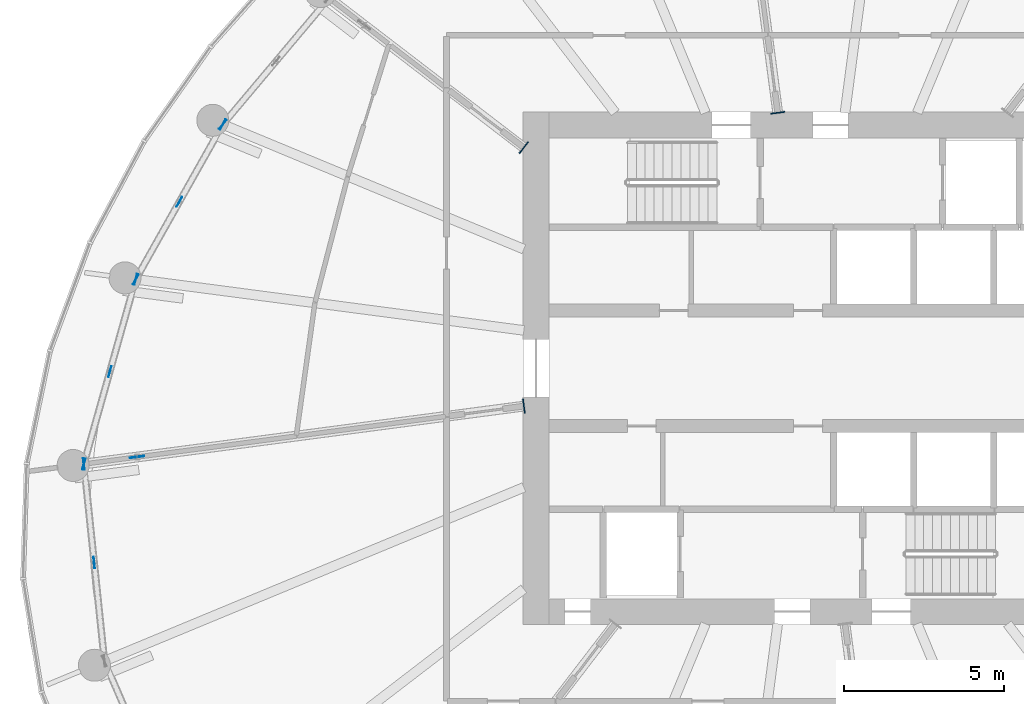
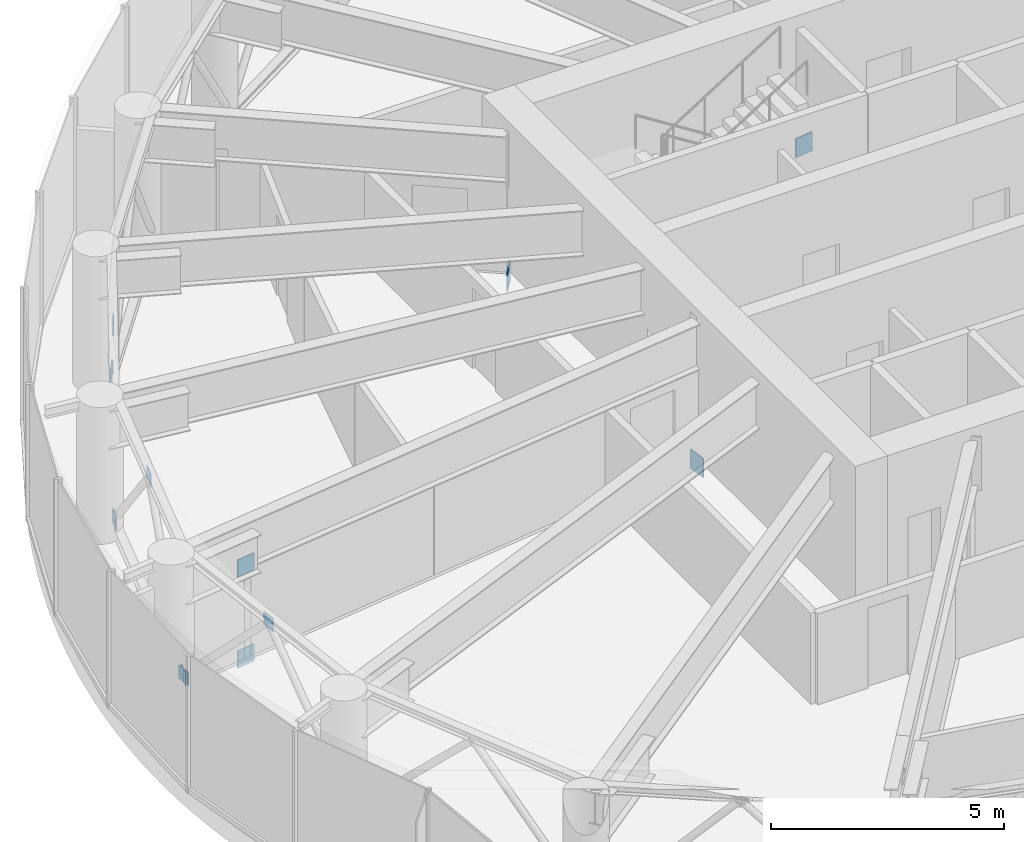
# One storey, part 19 of 25: 14 discrete accessories.
"""IFC4 building model written with IfcOpenShell, lengths in metres."""

from ifc_helpers import new_model, si_unit, direction, frame, origin, origin_2d, place, context, subcontext, project, spatial, rectangle, extrude, source, transform, mapped, material, layer, layer_set, type_object, element, save


model = new_model("IFC4")

# Units and contexts
model_context = context("Model", 3, precision=1e-05, world=origin(), true_north=direction((0.0, 1.0)))
body_context = subcontext(model_context, "Body", "Model", "MODEL_VIEW")
ifc_project = project(units=[si_unit("LENGTHUNIT", "METRE"), si_unit("AREAUNIT", "SQUARE_METRE"), si_unit("VOLUMEUNIT", "CUBIC_METRE"), si_unit("PLANEANGLEUNIT", "RADIAN"), si_unit("MASSUNIT", "GRAM", prefix="KILO")], contexts=[model_context])

# Site, building, storey
site_placement = place(None, origin())
site = spatial("IfcSite", under=ifc_project, at=site_placement, CompositionType="ELEMENT")
building_placement = place(site_placement, origin())
building = spatial("IfcBuilding", under=site, at=building_placement, Name="Spindrift Exchange Tower", CompositionType="ELEMENT")
storey_placement = place(building_placement, frame((0.0, 0.0, 179.89990234375)))
storey = spatial("IfcBuildingStorey", under=building, at=storey_placement, Name="L43", CompositionType="ELEMENT", Elevation=179.89990234375)

# Discrete accessories
ifc_material = material(Name="Steel Grade 350", Category="steel")
ifc_layer_1 = layer(ifc_material, 0.031982421875)
ifc_layer_set_1 = layer_set([ifc_layer_1], Name="Cast-in plate 450x500x32 Steel Grade 350")
discrete_accessory_type_1 = type_object("IfcDiscreteAccessoryType", Name="Cast-in plate 450x500x32 Steel Grade 350", PredefinedType="USERDEFINED", material=ifc_layer_set_1)
shared_shape_1 = source(origin(), body_context, "Body", "SweptSolid", [
    extrude(rectangle(XDim=0.031982421875, YDim=0.449951171875, at=origin_2d()), origin(), (0.0, 0.0, 1.0), 0.5),
])
for number, where, z_axis, x_axis, name in (
    (1, (50.949462890625, 55.980224609375, -0.406982421875), (0.0, 0.0, 1.0), (-0.13052619222, 0.991444861374, 0.0), "L43 cast-in plate CP2 07"),
    (2, (43.015869140625, 54.893798828125, -0.406982421875), (0.0, 0.0, 1.0), (-0.793353340291, 0.608761429009, 0.0), "L43 cast-in plate CP2 10"),
    (3, (43.019775390625, 46.817626953125, -0.406982421875), (0.0, 0.0, 1.0), (-0.991444861374, -0.13052619222, 0.0), "L43 cast-in plate CP2 13"),
):
    element("IfcDiscreteAccessory", number, at=place(storey_placement, frame(where, z_axis=z_axis, x_axis=x_axis)), inside=storey, type_object=discrete_accessory_type_1, Name=name, ObjectType="Cast-in plate", PredefinedType="USERDEFINED", context=body_context, shape_type="MappedRepresentation", body=[
        mapped(shared_shape_1, transform((0.0, 0.0, 0.0), scale=1.0)),
    ])
ifc_layer_2 = layer(ifc_material, 0.02490234375)
ifc_layer_set_2 = layer_set([ifc_layer_2], Name="Gusset plate 450x450x25 Steel Grade 350")
discrete_accessory_type_2 = type_object("IfcDiscreteAccessoryType", Name="Gusset plate 450x450x25 Steel Grade 350", PredefinedType="USERDEFINED", material=ifc_layer_set_2)
shared_shape_2 = source(origin(), body_context, "Body", "SweptSolid", [
    extrude(rectangle(XDim=0.449951171875, YDim=0.02490234375, at=origin_2d()), origin(), (0.0, 0.0, 1.0), 0.449951171875),
])
for number, where, z_axis, x_axis, name in (
    (4, (30.937744140625, 45.22705078125, -0.22509765625), (0.0, 0.0, 1.0), (-0.991444861374, -0.13052619222, 0.0), "L43 gusset plate GP1 13"),
    (5, (30.937744140625, 45.22705078125, 2.1552734375), (0.0, 0.0, 1.0), (-0.991444861374, -0.13052619222, 0.0), "L43 gusset plate GP1 13"),
):
    element("IfcDiscreteAccessory", number, at=place(storey_placement, frame(where, z_axis=z_axis, x_axis=x_axis)), inside=storey, type_object=discrete_accessory_type_2, Name=name, ObjectType="Gusset plate", PredefinedType="USERDEFINED", context=body_context, shape_type="MappedRepresentation", body=[
        mapped(shared_shape_2, transform((0.0, 0.0, 0.0), scale=1.0)),
    ])
ifc_layer_3 = layer(ifc_material, 0.02001953125)
ifc_layer_set_3 = layer_set([ifc_layer_3], Name="Gusset plate 350x350x20 Steel Grade 350")
discrete_accessory_type_3 = type_object("IfcDiscreteAccessoryType", Name="Gusset plate 350x350x20 Steel Grade 350", PredefinedType="USERDEFINED", material=ifc_layer_set_3)
shared_shape_3 = source(origin(), body_context, "Body", "SweptSolid", [
    extrude(rectangle(XDim=0.35009765625, YDim=0.02001953125, at=origin_2d()), origin(), (0.0, 0.0, 1.0), 0.35009765625),
])
for number, where, z_axis, x_axis, name in (
    (6, (33.61474609375, 55.615478515625, 0.03515625), (0.0, 0.0, 1.0), (-0.643680288471, -0.765294509476, 0.0), "L43 gusset plate GP2 10"),
    (7, (33.61474609375, 55.615478515625, 0.03515625), (0.0, 0.0, 1.0), (-0.489957679354, -0.871746220205, 0.0), "L43 gusset plate GP2 11"),
    (8, (32.255615234375, 53.197021484375, 3.195068359375), (0.0, 0.0, 1.0), (-0.489957679354, -0.871746220205, 0.0), "L43 gusset plate GP2 11"),
    (9, (30.89599609375, 50.7783203125, 0.03515625), (0.0, 0.0, 1.0), (-0.489985065827, -0.871730827301, 0.0), "L43 gusset plate GP2 11"),
    (10, (30.89599609375, 50.7783203125, 0.03515625), (0.0, 0.0, 1.0), (-0.270455944519, -0.962732352253, 0.0), "L43 gusset plate GP2 12"),
    (11, (30.085693359375, 47.893310546875, 3.195068359375), (0.0, 0.0, 1.0), (-0.270455944519, -0.962732352253, 0.0), "L43 gusset plate GP2 12"),
    (12, (29.275146484375, 45.00830078125, 0.03515625), (0.0, 0.0, 1.0), (-0.270455944519, -0.962732352253, 0.0), "L43 gusset plate GP2 12"),
    (13, (29.275146484375, 45.00830078125, 0.03515625), (0.0, 0.0, 1.0), (0.103802884426, -0.994597889192, 0.0), "L43 gusset plate GP2 13"),
    (14, (29.59619140625, 41.9306640625, 3.195068359375), (0.0, 0.0, 1.0), (0.103802884426, -0.994597889192, 0.0), "L43 gusset plate GP2 13"),
):
    element("IfcDiscreteAccessory", number, at=place(storey_placement, frame(where, z_axis=z_axis, x_axis=x_axis)), inside=storey, type_object=discrete_accessory_type_3, Name=name, ObjectType="Gusset plate", PredefinedType="USERDEFINED", context=body_context, shape_type="MappedRepresentation", body=[
        mapped(shared_shape_3, transform((0.0, 0.0, 0.0), scale=1.0)),
    ])

save(model, "model.ifc")
